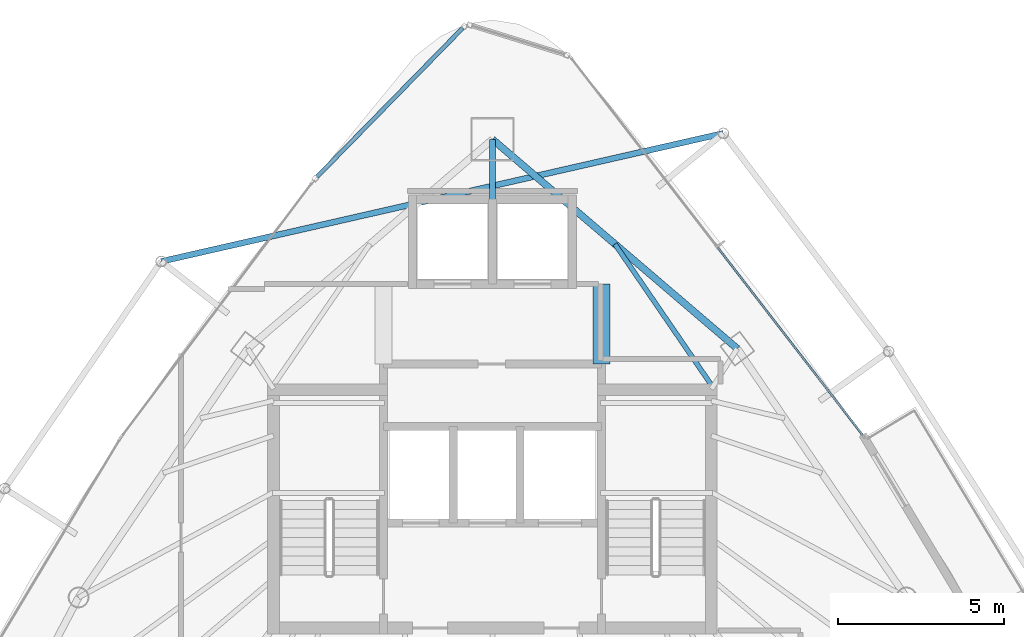
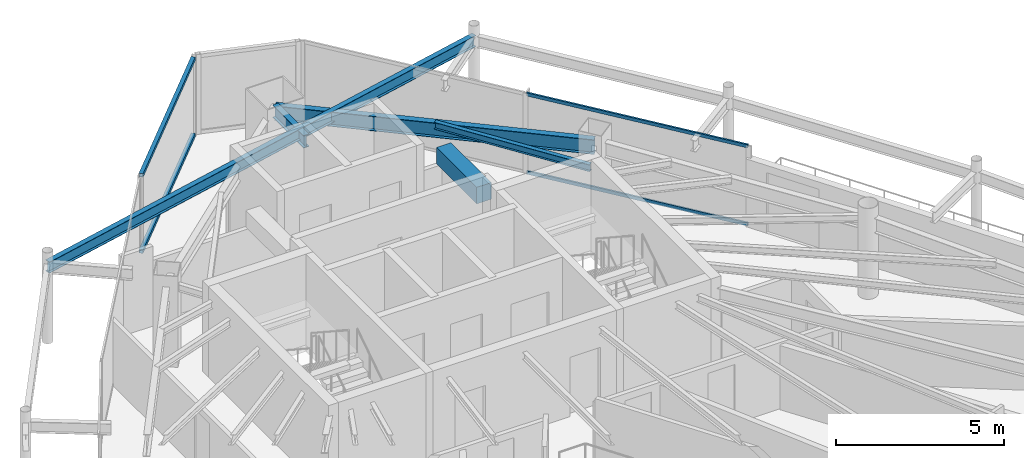
# One storey, part 21 of 29: 5 beams, 4 members, 2 elements without a shape of their own.
"""IFC4 building model written with IfcOpenShell, lengths in metres."""

from ifc_helpers import new_model, si_unit, direction, frame, origin, origin_2d, place, context, subcontext, project, spatial, rectangle, hollow_rectangle, i_section, extrude, material, layer, layer_set, material_profile, profile_set, type_object, element, aggregate, save


model = new_model("IFC4")

# Units and contexts
model_context = context("Model", 3, precision=1e-05, world=origin(), true_north=direction((0.0, 1.0)))
body_context = subcontext(model_context, "Body", "Model", "MODEL_VIEW")
ifc_project = project(units=[si_unit("LENGTHUNIT", "METRE"), si_unit("AREAUNIT", "SQUARE_METRE"), si_unit("VOLUMEUNIT", "CUBIC_METRE"), si_unit("PLANEANGLEUNIT", "RADIAN"), si_unit("MASSUNIT", "GRAM", prefix="KILO")], contexts=[model_context])

# Site, building, storey
site_placement = place(None, origin())
site = spatial("IfcSite", under=ifc_project, at=site_placement, CompositionType="ELEMENT")
building_placement = place(site_placement, origin())
building = spatial("IfcBuilding", under=site, at=building_placement, Name="Orvanel Arch Residences", CompositionType="ELEMENT")
storey_placement = place(building_placement, frame((0.0, 0.0, 253.550048828125)))
storey = spatial("IfcBuildingStorey", under=building, at=storey_placement, Name="L72", CompositionType="ELEMENT", Elevation=253.550048828125)

# Beams
ifc_material_1 = material(Name="Structural steel AS/NZS 3679.1 Grade 300 (300 MPa)", Category="steel")
ifc_material_profile_1 = material_profile(ifc_material_1, i_section(OverallWidth=0.19091796875, OverallDepth=0.4599609375, WebThickness=0.010009765625, FlangeThickness=0.01611328125, at=origin_2d()), Name="460UB82.1")
ifc_profile_set_1 = profile_set([ifc_material_profile_1], Name="Structural steel AS/NZS 3679.1 Grade 300 (300 MPa)")
beam_type_1 = type_object("IfcBeamType", Name="BG-460UB", PredefinedType="BEAM", material=ifc_profile_set_1)
beam_1_placement = place(storey_placement, frame((33.0, 39.550048828125, 2.669921875), z_axis=(0.0, 1.0, 0.0), x_axis=(-1.0, 0.0, 0.0)))
element("IfcBeam", 1, at=beam_1_placement, inside=storey, type_object=beam_type_1, Name="L72 North Radial Girder", PredefinedType="BEAM", context=body_context, shape_type="SweptSolid", body=[
    extrude(i_section(OverallWidth=0.19091796875, OverallDepth=0.4599609375, WebThickness=0.010009765625, FlangeThickness=0.01611328125, at=origin_2d()), origin(), (0.0, 0.0, 1.0), 1.847900390625),
])
ifc_material_profile_2 = material_profile(ifc_material_1, i_section(OverallWidth=0.14599609375, OverallDepth=0.251953125, WebThickness=0.006103515625, FlangeThickness=0.008544921875, at=origin_2d()), Name="250UB31.4")
ifc_profile_set_2 = profile_set([ifc_material_profile_2], Name="Structural steel AS/NZS 3679.1 Grade 300 (300 MPa)")
beam_type_2 = type_object("IfcBeamType", Name="BJ-250UB", PredefinedType="JOIST", material=ifc_profile_set_2)
beam_2_placement = place(storey_placement, frame((39.574951171875, 34.02001953125, 2.77392578125), z_axis=(-0.564868085352, 0.825181220188, 0.0), x_axis=(-0.825181220188, -0.564868085352, 0.0)))
element("IfcBeam", 2, at=beam_2_placement, inside=storey, type_object=beam_type_2, Name="L72 NNE2 Wing Floor Joist", PredefinedType="JOIST", context=body_context, shape_type="SweptSolid", body=[
    extrude(i_section(OverallWidth=0.14599609375, OverallDepth=0.251953125, WebThickness=0.006103515625, FlangeThickness=0.008544921875, at=origin_2d()), origin(), (0.0, 0.0, 1.0), 5.132080078125),
])
ifc_material_2 = material(Name="Concrete S65 (65 MPa)", Category="concrete")
ifc_material_profile_3 = material_profile(ifc_material_2, rectangle(XDim=0.5, YDim=0.60009765625, at=origin_2d()), Name="RC500x600")
ifc_profile_set_3 = profile_set([ifc_material_profile_3], Name="Concrete S65 (65 MPa)")
beam_type_3 = type_object("IfcBeamType", Name="CB-500x600", PredefinedType="LINTEL", material=ifc_profile_set_3)
beam_3_placement = place(storey_placement, frame((36.27490234375, 34.64990234375, 2.599853515625), z_axis=(0.0, 1.0, 0.0), x_axis=(-1.0, 0.0, 0.0)))
element("IfcBeam", 3, at=beam_3_placement, inside=storey, type_object=beam_type_3, Name="L72 East Core Lobby Coupling Lintel Beam", PredefinedType="LINTEL", context=body_context, shape_type="SweptSolid", body=[
    extrude(rectangle(XDim=0.5, YDim=0.60009765625, at=origin_2d()), origin(), (0.0, 0.0, 1.0), 2.400146484375),
])
ifc_material_profile_4 = material_profile(ifc_material_1, i_section(OverallWidth=0.177978515625, OverallDepth=0.406005859375, WebThickness=0.0078125, FlangeThickness=0.0126953125, at=origin_2d()), Name="410UB59.7")
ifc_profile_set_4 = profile_set([ifc_material_profile_4], Name="Structural steel AS/NZS 3679.1 Grade 300 (300 MPa)")
beam_type_4 = type_object("IfcBeamType", Name="OB-410UB-EXT", PredefinedType="SPANDREL", material=ifc_profile_set_4)
beam_4_placement = place(storey_placement, frame((39.93408203125, 41.5791015625, 2.697021484375), z_axis=(-0.975003740449, -0.222188447295, 0.0), x_axis=(0.222188447295, -0.975003740449, 0.0)))
element("IfcBeam", 4, at=beam_4_placement, inside=storey, type_object=beam_type_4, Name="L72 Outer Perimeter Floor Ring Beam 12", PredefinedType="SPANDREL", context=body_context, shape_type="SweptSolid", body=[
    extrude(i_section(OverallWidth=0.177978515625, OverallDepth=0.406005859375, WebThickness=0.0078125, FlangeThickness=0.0126953125, at=origin_2d()), origin(), (0.0, 0.0, 1.0), 17.31494140625),
])
ifc_material_profile_5 = material_profile(ifc_material_1, i_section(OverallWidth=0.208984375, OverallDepth=0.532958984375, WebThickness=0.01025390625, FlangeThickness=0.015625, at=origin_2d()), Name="530UB92.4")
ifc_profile_set_5 = profile_set([ifc_material_profile_5], Name="Structural steel AS/NZS 3679.1 Grade 300 (300 MPa)")
beam_type_5 = type_object("IfcBeamType", Name="SP-530UB", PredefinedType="SPANDREL", material=ifc_profile_set_5)
beam_5_placement = place(storey_placement, frame((40.35205078125, 35.113037109375, 2.633056640625), z_axis=(-0.760116518398, 0.649786794617, 0.0), x_axis=(-0.649786794617, -0.760116518398, 0.0)))
element("IfcBeam", 5, at=beam_5_placement, inside=storey, type_object=beam_type_5, Name="L72 Perimeter Spandrel Beam 09", PredefinedType="SPANDREL", context=body_context, shape_type="SweptSolid", body=[
    extrude(i_section(OverallWidth=0.208984375, OverallDepth=0.532958984375, WebThickness=0.01025390625, FlangeThickness=0.015625, at=origin_2d()), origin(), (0.0, 0.0, 1.0), 9.67236328125),
])

# Curtain wall, members
ifc_material_3 = material(Name="Bronze-anodised aluminium AA6063-T6", Category="aluminium")
ifc_layer_1 = layer(ifc_material_3, 0.175048828125)
ifc_layer_set_1 = layer_set([ifc_layer_1], Name="Bronze-anodised aluminium AA6063-T6")
curtain_wall_type_1 = type_object("IfcCurtainWallType", Name="CW4-HI-SYS", PredefinedType="NOTDEFINED", material=ifc_layer_set_1)
curtain_wall_1_placement = place(storey_placement, origin())
curtain_wall_1 = element("IfcCurtainWall", 6, at=curtain_wall_1_placement, inside=storey, type_object=curtain_wall_type_1, Name="L72 CW4-HI-SYS Unitised Curtain Wall", PredefinedType="NOTDEFINED")
ifc_material_profile_6 = material_profile(ifc_material_3, hollow_rectangle(XDim=0.06005859375, YDim=0.1201171875, WallThickness=0.00341796875, at=origin_2d()), Name="ALU120x60x3.5")
ifc_profile_set_6 = profile_set([ifc_material_profile_6], Name="Bronze-anodised aluminium AA6063-T6")
member_type_1 = type_object("IfcMemberType", Name="TRN-120x60", PredefinedType="USERDEFINED", material=ifc_profile_set_6)
member_1_placement = place(storey_placement, frame((44.1162109375, 32.515380859375, 0.030029296875), z_axis=(-0.611375262604, 0.791340816763, 0.0), x_axis=(-0.791340816763, -0.611375262604, 0.0)))
member_1 = element("IfcMember", 7, at=member_1_placement, type_object=member_type_1, Name="CW-S4 transom 1.1", ObjectType="TRANSOM", PredefinedType="USERDEFINED", context=body_context, shape_type="SweptSolid", body=[
    extrude(hollow_rectangle(XDim=0.06005859375, YDim=0.1201171875, WallThickness=0.00341796875, at=origin_2d()), origin(), (0.0, 0.0, 1.0), 7.1181640625),
])
member_2_placement = place(storey_placement, frame((44.1162109375, 32.515380859375, 2.869873046875), z_axis=(-0.611375262604, 0.791340816763, 0.0), x_axis=(-0.791340816763, -0.611375262604, 0.0)))
member_2 = element("IfcMember", 8, at=member_2_placement, type_object=member_type_1, Name="CW-S4 transom 1.2", ObjectType="TRANSOM", PredefinedType="USERDEFINED", context=body_context, shape_type="SweptSolid", body=[
    extrude(hollow_rectangle(XDim=0.06005859375, YDim=0.1201171875, WallThickness=0.00341796875, at=origin_2d()), origin(), (0.0, 0.0, 1.0), 7.1181640625),
])
aggregate(curtain_wall_1, [member_1, member_2])

ifc_layer_2 = layer(ifc_material_3, 0.18994140625)
ifc_layer_set_2 = layer_set([ifc_layer_2], Name="Bronze-anodised aluminium AA6063-T6")
curtain_wall_type_2 = type_object("IfcCurtainWallType", Name="CW5-CRN-SYS", PredefinedType="NOTDEFINED", material=ifc_layer_set_2)
curtain_wall_2_placement = place(storey_placement, origin())
curtain_wall_2 = element("IfcCurtainWall", 9, at=curtain_wall_2_placement, inside=storey, type_object=curtain_wall_type_2, Name="L72 CW5-CRN-SYS Unitised Curtain Wall", PredefinedType="NOTDEFINED")
ifc_material_profile_7 = material_profile(ifc_material_3, hollow_rectangle(XDim=0.1298828125, YDim=0.1298828125, WallThickness=0.00439453125, at=origin_2d()), Name="ALU130x130x4.5")
ifc_profile_set_7 = profile_set([ifc_material_profile_7], Name="Bronze-anodised aluminium AA6063-T6")
member_type_2 = type_object("IfcMemberType", Name="TRN-130x130", PredefinedType="USERDEFINED", material=ifc_profile_set_7)
member_3_placement = place(storey_placement, frame((32.10693359375, 44.741943359375, 0.06494140625), z_axis=(-0.699649707694, -0.714486029621, 0.0), x_axis=(0.714486029621, -0.699649707694, 0.0)))
member_3 = element("IfcMember", 10, at=member_3_placement, type_object=member_type_2, Name="CW-S5 transom 1.1", ObjectType="TRANSOM", PredefinedType="USERDEFINED", context=body_context, shape_type="SweptSolid", body=[
    extrude(hollow_rectangle(XDim=0.1298828125, YDim=0.1298828125, WallThickness=0.00439453125, at=origin_2d()), origin(), (0.0, 0.0, 1.0), 6.253173828125),
])
member_4_placement = place(storey_placement, frame((32.10693359375, 44.741943359375, 2.8349609375), z_axis=(-0.699649707694, -0.714486029621, 0.0), x_axis=(0.714486029621, -0.699649707694, 0.0)))
member_4 = element("IfcMember", 11, at=member_4_placement, type_object=member_type_2, Name="CW-S5 transom 1.2", ObjectType="TRANSOM", PredefinedType="USERDEFINED", context=body_context, shape_type="SweptSolid", body=[
    extrude(hollow_rectangle(XDim=0.1298828125, YDim=0.1298828125, WallThickness=0.00439453125, at=origin_2d()), origin(), (0.0, 0.0, 1.0), 6.253173828125),
])
aggregate(curtain_wall_2, [member_3, member_4])

save(model, "model.ifc")
